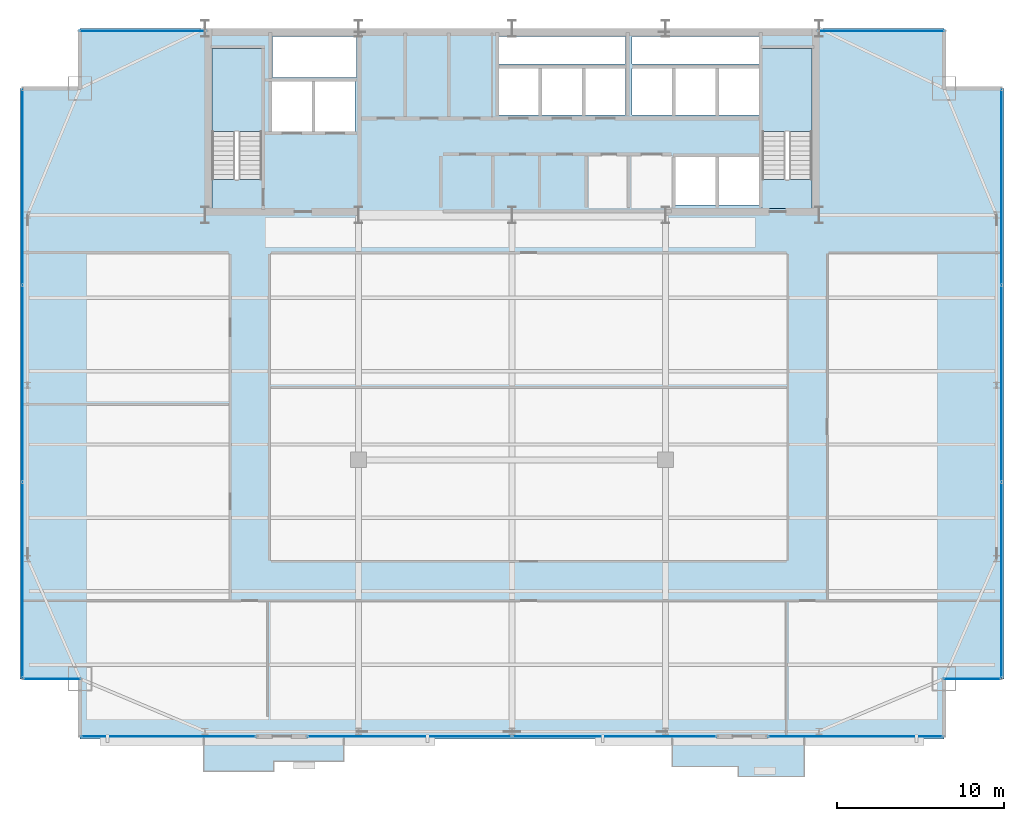
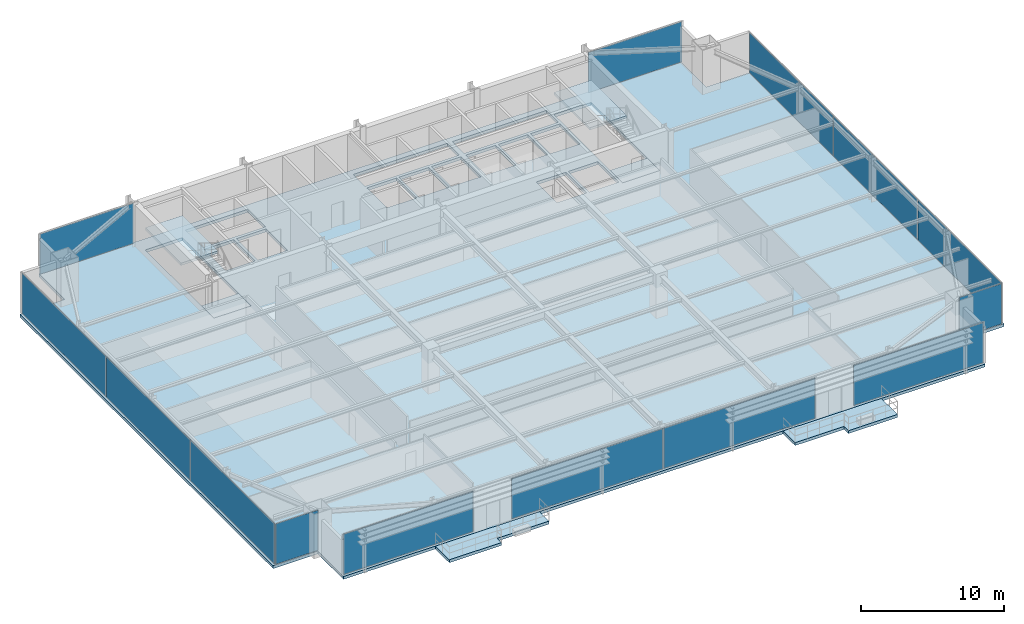
# One storey, part 27 of 36: 14 plates, 7 slabs, 11 elements without a shape of their own.
"""IFC4 building model written with IfcOpenShell, lengths in metres."""

from ifc_helpers import new_model, si_unit, direction, frame, origin, origin_2d, place, context, subcontext, project, spatial, polyline, rectangle, outline, extrude, source, transform, mapped, material, layer, layer_set, type_object, type_shapes, element, aggregate, save


model = new_model("IFC4")

# Units and contexts
model_context = context("Model", 3, precision=1e-05, world=origin(), true_north=direction((0.0, 1.0)))
body_context = subcontext(model_context, "Body", "Model", "MODEL_VIEW")
ifc_project = project(units=[si_unit("LENGTHUNIT", "METRE"), si_unit("AREAUNIT", "SQUARE_METRE"), si_unit("VOLUMEUNIT", "CUBIC_METRE"), si_unit("PLANEANGLEUNIT", "RADIAN"), si_unit("MASSUNIT", "GRAM", prefix="KILO")], contexts=[model_context])

# Site, building, storey
site_placement = place(None, origin())
site = spatial("IfcSite", under=ifc_project, at=site_placement, CompositionType="ELEMENT")
building_placement = place(site_placement, origin())
building = spatial("IfcBuilding", under=site, at=building_placement, Name="Varnel Quay Broadcast Tower", CompositionType="ELEMENT")
storey_placement = place(building_placement, frame((0.0, 0.0, 114.39990234375)))
storey = spatial("IfcBuildingStorey", under=building, at=storey_placement, Name="L27", CompositionType="ELEMENT", Elevation=114.39990234375)

# Slabs
ifc_material_1 = material(Name="Concrete CSA A23.3 C40/50", Category="concrete")
ifc_layer_1 = layer(ifc_material_1, 0.25, Name="Concrete CSA A23.3 C40/50")
ifc_layer_set_1 = layer_set([ifc_layer_1], Name="Concrete CSA A23.3 C40/50")
slab_type_1 = type_object("IfcSlabType", Name="Slab_ExtTerrace250", PredefinedType="FLOOR", material=ifc_layer_set_1)
slab_1_placement = place(storey_placement, frame((0.0, 0.0, -0.25)))
element("IfcSlab", 1, at=slab_1_placement, inside=storey, type_object=slab_type_1, Name="L27 Planted Lobe Terrace Slab 1", PredefinedType="FLOOR", context=body_context, shape_type="SweptSolid", body=[
    extrude(outline(polyline([(15.52001953125, 2.260986328125), (19.719970703125, 2.260986328125), (19.719970703125, 2.861083984375), (23.919921875, 2.861083984375), (23.919921875, 4.199951171875), (15.52001953125, 4.199951171875), (15.52001953125, 2.260986328125)])), origin(), (0.0, 0.0, 1.0), 0.25),
])
slab_2_placement = place(storey_placement, frame((0.0, 0.0, -0.25)))
element("IfcSlab", 2, at=slab_2_placement, inside=storey, type_object=slab_type_1, Name="L27 Planted Lobe Terrace Slab 2", PredefinedType="FLOOR", context=body_context, shape_type="SweptSolid", body=[
    extrude(outline(polyline([(43.60009765625, 2.5390625), (47.56005859375, 2.5390625), (47.56005859375, 1.93896484375), (51.52001953125, 1.93896484375), (51.52001953125, 4.199951171875), (43.60009765625, 4.199951171875), (43.60009765625, 2.5390625)])), origin(), (0.0, 0.0, 1.0), 0.25),
])
ifc_material_2 = material(Name="Concrete CSA A23.3 C50/60", Category="concrete")
ifc_layer_2 = layer(ifc_material_2, 0.25, Name="Concrete CSA A23.3 C50/60")
ifc_layer_set_2 = layer_set([ifc_layer_2], Name="Concrete CSA A23.3 C50/60")
slab_type_2 = type_object("IfcSlabType", Name="Slab_Floor250", PredefinedType="FLOOR", material=ifc_layer_set_2)
slab_3_placement = place(storey_placement, frame((0.0, 0.0, -0.25)))
element("IfcSlab", 3, at=slab_3_placement, inside=storey, type_object=slab_type_2, Name="L27 Structural Slab", PredefinedType="FLOOR", context=body_context, shape_type="SweptSolid", body=[
    extrude(outline(polyline([(8.10009765625, 4.199951171875), (59.89990234375, 4.199951171875), (59.89990234375, 7.800048828125), (63.5, 7.800048828125), (63.5, 43.199951171875), (59.89990234375, 43.199951171875), (59.89990234375, 46.800048828125), (8.10009765625, 46.800048828125), (8.10009765625, 43.199951171875), (4.5, 43.199951171875), (4.5, 7.800048828125), (8.10009765625, 7.800048828125), (8.10009765625, 4.199951171875)]), holes=[polyline([(19.0, 36.0), (16.0, 36.0), (16.0, 45.60009765625), (19.0, 45.60009765625), (19.0, 36.0)]), polyline([(19.60009765625, 43.60009765625), (22.0, 43.60009765625), (22.0, 40.60009765625), (19.60009765625, 40.60009765625), (19.60009765625, 43.60009765625)]), polyline([(22.199951171875, 43.60009765625), (24.60009765625, 43.60009765625), (24.60009765625, 40.60009765625), (22.199951171875, 40.60009765625), (22.199951171875, 43.60009765625)]), polyline([(33.199951171875, 44.39990234375), (35.60009765625, 44.39990234375), (35.60009765625, 41.60009765625), (33.199951171875, 41.60009765625), (33.199951171875, 44.39990234375)]), polyline([(35.800048828125, 44.39990234375), (38.199951171875, 44.39990234375), (38.199951171875, 41.60009765625), (35.800048828125, 41.60009765625), (35.800048828125, 44.39990234375)]), polyline([(38.39990234375, 44.39990234375), (40.800048828125, 44.39990234375), (40.800048828125, 41.60009765625), (38.39990234375, 41.60009765625), (38.39990234375, 44.39990234375)]), polyline([(19.64990234375, 46.300048828125), (24.679931640625, 46.300048828125), (24.679931640625, 43.85009765625), (19.64990234375, 43.85009765625), (19.64990234375, 46.300048828125)]), polyline([(33.199951171875, 46.300048828125), (40.800048828125, 46.300048828125), (40.800048828125, 44.64990234375), (33.199951171875, 44.64990234375), (33.199951171875, 46.300048828125)]), polyline([(43.800048828125, 39.10009765625), (46.199951171875, 39.10009765625), (46.199951171875, 36.199951171875), (43.800048828125, 36.199951171875), (43.800048828125, 39.10009765625)]), polyline([(46.39990234375, 39.10009765625), (48.800048828125, 39.10009765625), (48.800048828125, 36.199951171875), (46.39990234375, 36.199951171875), (46.39990234375, 39.10009765625)]), polyline([(49.0, 36.0), (49.0, 45.60009765625), (52.0, 45.60009765625), (52.0, 36.0), (49.0, 36.0)]), polyline([(41.199951171875, 44.39990234375), (43.60009765625, 44.39990234375), (43.60009765625, 41.60009765625), (41.199951171875, 41.60009765625), (41.199951171875, 44.39990234375)]), polyline([(43.800048828125, 44.39990234375), (46.199951171875, 44.39990234375), (46.199951171875, 41.60009765625), (43.800048828125, 41.60009765625), (43.800048828125, 44.39990234375)]), polyline([(46.39990234375, 44.39990234375), (48.800048828125, 44.39990234375), (48.800048828125, 41.60009765625), (46.39990234375, 41.60009765625), (46.39990234375, 44.39990234375)]), polyline([(41.199951171875, 46.300048828125), (48.800048828125, 46.300048828125), (48.800048828125, 44.64990234375), (41.199951171875, 44.64990234375), (41.199951171875, 46.300048828125)])]), origin(), (0.0, 0.0, 1.0), 0.25),
])
ifc_layer_3 = layer(ifc_material_2, 0.25, Name="Concrete CSA A23.3 C50/60")
ifc_layer_set_3 = layer_set([ifc_layer_3], Name="Concrete CSA A23.3 C50/60")
slab_type_3 = type_object("IfcSlabType", Name="Slab_StairFloorLanding250", PredefinedType="FLOOR", material=ifc_layer_set_3)
slab_4_placement = place(storey_placement, frame((0.0, 0.0, -0.25)))
element("IfcSlab", 4, at=slab_4_placement, inside=storey, type_object=slab_type_3, Name="L27 ST-01 Structural Floor Landing Slab", PredefinedType="FLOOR", context=body_context, shape_type="SweptSolid", body=[
    extrude(outline(polyline([(19.0, 36.0), (19.0, 37.75), (16.0, 37.75), (16.0, 36.0), (19.0, 36.0)])), origin(), (0.0, 0.0, 1.0), 0.25),
])
slab_5_placement = place(storey_placement, frame((0.0, 0.0, -0.25)))
element("IfcSlab", 5, at=slab_5_placement, inside=storey, type_object=slab_type_3, Name="L27 ST-02 Structural Floor Landing Slab", PredefinedType="FLOOR", context=body_context, shape_type="SweptSolid", body=[
    extrude(outline(polyline([(52.0, 36.0), (52.0, 37.75), (49.0, 37.75), (49.0, 36.0), (52.0, 36.0)])), origin(), (0.0, 0.0, 1.0), 0.25),
])

# Stair, slab
ifc_material_3 = material(Name="Precast Structural Concrete C40/50", Category="concrete")
stair_type_1 = type_object("IfcStairType", Name="Stair_ST-01", PredefinedType="HALF_TURN_STAIR", material=ifc_material_3)
stair_1_placement = place(storey_placement, origin())
stair_1 = element("IfcStair", 6, at=stair_1_placement, inside=storey, type_object=stair_type_1, Name="L27 West Core Exit Stair 1", PredefinedType="HALF_TURN_STAIR")
ifc_layer_4 = layer(ifc_material_3, 0.199951171875, Name="Precast Structural Concrete C40/50")
ifc_layer_set_4 = layer_set([ifc_layer_4], Name="Precast Structural Concrete C40/50")
slab_type_4 = type_object("IfcSlabType", Name="Slab_StairLanding200", PredefinedType="LANDING", material=ifc_layer_set_4)
slab_6_placement = place(storey_placement, frame((0.0, 0.0, 1.7001953125)))
slab_6 = element("IfcSlab", 7, at=slab_6_placement, type_object=slab_type_4, Name="ST-01 landing 1", PredefinedType="LANDING", context=body_context, shape_type="SweptSolid", body=[
    extrude(outline(polyline([(19.0, 40.60009765625), (19.0, 45.60009765625), (16.0, 45.60009765625), (16.0, 40.60009765625), (19.0, 40.60009765625)])), origin(), (0.0, 0.0, 1.0), 0.199951171875),
])
aggregate(stair_1, [slab_6])

stair_type_2 = type_object("IfcStairType", Name="Stair_ST-02", PredefinedType="HALF_TURN_STAIR", material=ifc_material_3)
stair_2_placement = place(storey_placement, origin())
stair_2 = element("IfcStair", 8, at=stair_2_placement, inside=storey, type_object=stair_type_2, Name="L27 East Core Exit Stair 2", PredefinedType="HALF_TURN_STAIR")
slab_7_placement = place(storey_placement, frame((0.0, 0.0, 1.7001953125)))
slab_7 = element("IfcSlab", 9, at=slab_7_placement, type_object=slab_type_4, Name="ST-02 landing 1", PredefinedType="LANDING", context=body_context, shape_type="SweptSolid", body=[
    extrude(outline(polyline([(52.0, 40.60009765625), (52.0, 45.60009765625), (49.0, 45.60009765625), (49.0, 40.60009765625), (52.0, 40.60009765625)])), origin(), (0.0, 0.0, 1.0), 0.199951171875),
])
aggregate(stair_2, [slab_7])

# Curtain wall, plates
ifc_material_4 = material(Name="Anodised Bronze Aluminium 6063-T6", Category="aluminium")
ifc_layer_5 = layer(ifc_material_4, 0.18994140625, Name="Anodised Bronze Aluminium 6063-T6")
ifc_layer_set_5 = layer_set([ifc_layer_5], Name="Anodised Bronze Aluminium 6063-T6")
curtain_wall_type_1 = type_object("IfcCurtainWallType", Name="CW_LowerTower", PredefinedType="NOTDEFINED", material=ifc_layer_set_5)
curtain_wall_1_placement = place(storey_placement, origin())
curtain_wall_1 = element("IfcCurtainWall", 10, at=curtain_wall_1_placement, inside=storey, type_object=curtain_wall_type_1, Name="L27 West Unitised Curtain Wall", PredefinedType="NOTDEFINED")
ifc_material_5 = material(Name="Insulated Bronze Spandrel Glass", Category="glass")
ifc_layer_6 = layer(ifc_material_5, 0.031982421875, Name="Insulated Bronze Spandrel Glass")
ifc_layer_set_6 = layer_set([ifc_layer_6], Name="Insulated Bronze Spandrel Glass")
plate_type_1 = type_object("IfcPlateType", Name="PanelSp_CWS-02", PredefinedType="CURTAIN_PANEL", material=ifc_layer_set_6)
shared_shape_1 = source(origin(), body_context, "Body", "SweptSolid", [
    extrude(rectangle(XDim=11.695068359375, YDim=0.031982421875, at=origin_2d()), origin(), (0.0, 0.0, 1.0), 3.429931640625),
])
plate_1_placement = place(storey_placement, frame((4.64990234375, 13.717529296875, 0.06005859375), z_axis=(0.0, 0.0, 1.0), x_axis=(0.0, 1.0, 0.0)))
plate_1 = element("IfcPlate", 11, at=plate_1_placement, type_object=plate_type_1, Name="CWS-02 panel 1.1", PredefinedType="CURTAIN_PANEL", context=body_context, shape_type="MappedRepresentation", body=[
    mapped(shared_shape_1, transform((0.0, 0.0, 0.0), x_axis=(1.0, 0.0, 0.0), y_axis=(0.0, 1.0, 0.0), z_axis=(0.0, 0.0, 1.0), scale=1.0)),
])
plate_2_placement = place(storey_placement, frame((4.64990234375, 37.282470703125, 0.06005859375), z_axis=(0.0, 0.0, 1.0), x_axis=(0.0, 1.0, 0.0)))
plate_2 = element("IfcPlate", 12, at=plate_2_placement, type_object=plate_type_1, Name="CWS-02 panel 3.1", PredefinedType="CURTAIN_PANEL", context=body_context, shape_type="MappedRepresentation", body=[
    mapped(shared_shape_1, transform((0.0, 0.0, 0.0), x_axis=(1.0, 0.0, 0.0), y_axis=(0.0, 1.0, 0.0), z_axis=(0.0, 0.0, 1.0), scale=1.0)),
])

curtain_wall_2_placement = place(storey_placement, origin())
curtain_wall_2 = element("IfcCurtainWall", 13, at=curtain_wall_2_placement, inside=storey, type_object=curtain_wall_type_1, Name="L27 East Unitised Curtain Wall", PredefinedType="NOTDEFINED")
plate_3_placement = place(storey_placement, frame((63.35009765625, 13.717529296875, 0.06005859375), z_axis=(0.0, 0.0, 1.0), x_axis=(0.0, 1.0, 0.0)))
plate_3 = element("IfcPlate", 14, at=plate_3_placement, type_object=plate_type_1, Name="CWS-02 panel 1.1", PredefinedType="CURTAIN_PANEL", context=body_context, shape_type="MappedRepresentation", body=[
    mapped(shared_shape_1, transform((0.0, 0.0, 0.0), x_axis=(1.0, 0.0, 0.0), y_axis=(0.0, 1.0, 0.0), z_axis=(0.0, 0.0, 1.0), scale=1.0)),
])
plate_4_placement = place(storey_placement, frame((63.35009765625, 37.282470703125, 0.06005859375), z_axis=(0.0, 0.0, 1.0), x_axis=(0.0, 1.0, 0.0)))
plate_4 = element("IfcPlate", 15, at=plate_4_placement, type_object=plate_type_1, Name="CWS-02 panel 3.1", PredefinedType="CURTAIN_PANEL", context=body_context, shape_type="MappedRepresentation", body=[
    mapped(shared_shape_1, transform((0.0, 0.0, 0.0), x_axis=(1.0, 0.0, 0.0), y_axis=(0.0, 1.0, 0.0), z_axis=(0.0, 0.0, 1.0), scale=1.0)),
])

# Plate
shared_shape_2 = source(origin(), body_context, "Body", "SweptSolid", [
    extrude(rectangle(XDim=11.72998046875, YDim=0.031982421875, at=origin_2d()), origin(), (0.0, 0.0, 1.0), 3.429931640625),
])
plate_5_placement = place(storey_placement, frame((4.64990234375, 25.5, 0.06005859375), z_axis=(0.0, 0.0, 1.0), x_axis=(0.0, 1.0, 0.0)))
plate_5 = element("IfcPlate", 16, at=plate_5_placement, type_object=plate_type_1, Name="CWS-02 panel 2.1", PredefinedType="CURTAIN_PANEL", context=body_context, shape_type="MappedRepresentation", body=[
    mapped(shared_shape_2, transform((0.0, 0.0, 0.0), x_axis=(1.0, 0.0, 0.0), y_axis=(0.0, 1.0, 0.0), z_axis=(0.0, 0.0, 1.0), scale=1.0)),
])

aggregate(curtain_wall_1, [plate_1, plate_5, plate_2])

plate_6_placement = place(storey_placement, frame((63.35009765625, 25.5, 0.06005859375), z_axis=(0.0, 0.0, 1.0), x_axis=(0.0, 1.0, 0.0)))
plate_6 = element("IfcPlate", 17, at=plate_6_placement, type_object=plate_type_1, Name="CWS-02 panel 2.1", PredefinedType="CURTAIN_PANEL", context=body_context, shape_type="MappedRepresentation", body=[
    mapped(shared_shape_2, transform((0.0, 0.0, 0.0), x_axis=(1.0, 0.0, 0.0), y_axis=(0.0, 1.0, 0.0), z_axis=(0.0, 0.0, 1.0), scale=1.0)),
])

aggregate(curtain_wall_2, [plate_3, plate_6, plate_4])

# Curtain wall, plate
ifc_layer_7 = layer(ifc_material_4, 0.18994140625, Name="Anodised Bronze Aluminium 6063-T6")
ifc_layer_set_7 = layer_set([ifc_layer_7], Name="Anodised Bronze Aluminium 6063-T6")
curtain_wall_type_2 = type_object("IfcCurtainWallType", Name="CW_NotchCorner", PredefinedType="NOTDEFINED", material=ifc_layer_set_7)
curtain_wall_3_placement = place(storey_placement, origin())
curtain_wall_3 = element("IfcCurtainWall", 18, at=curtain_wall_3_placement, inside=storey, type_object=curtain_wall_type_2, Name="L27 SW Notch Curtain Wall", PredefinedType="NOTDEFINED")
ifc_material_6 = material(Name="Triple-Glazed Bronze Low-E Architectural Glass", Category="glass")
ifc_layer_8 = layer(ifc_material_6, 0.028076171875, Name="Triple-Glazed Bronze Low-E Architectural Glass")
ifc_layer_set_8 = layer_set([ifc_layer_8], Name="Triple-Glazed Bronze Low-E Architectural Glass")
plate_type_2 = type_object("IfcPlateType", Name="Panel_CWS-04", PredefinedType="CURTAIN_PANEL", material=ifc_layer_set_8)
shared_shape_3 = source(origin(), body_context, "Body", "SweptSolid", [
    extrude(rectangle(XDim=3.409912109375, YDim=0.028076171875, at=origin_2d()), origin(), (0.0, 0.0, 1.0), 3.43994140625),
])
type_shapes(plate_type_2, [shared_shape_3])
plate_7_placement = place(storey_placement, frame((6.4150390625, 7.800048828125, 0.05517578125), z_axis=(0.0, 0.0, 1.0), x_axis=(1.0, 0.0, 0.0)))
plate_7 = element("IfcPlate", 19, at=plate_7_placement, type_object=plate_type_2, Name="CWS-04 panel 1.1", PredefinedType="CURTAIN_PANEL", context=body_context, shape_type="MappedRepresentation", body=[
    mapped(shared_shape_3, transform((0.0, 0.0, 0.0), x_axis=(1.0, 0.0, 0.0), y_axis=(0.0, 1.0, 0.0), z_axis=(0.0, 0.0, 1.0), scale=1.0)),
])
aggregate(curtain_wall_3, [plate_7])

curtain_wall_4_placement = place(storey_placement, origin())
curtain_wall_4 = element("IfcCurtainWall", 20, at=curtain_wall_4_placement, inside=storey, type_object=curtain_wall_type_2, Name="L27 SE Notch Curtain Wall", PredefinedType="NOTDEFINED")
plate_8_placement = place(storey_placement, frame((61.5849609375, 7.800048828125, 0.05517578125), z_axis=(0.0, 0.0, 1.0), x_axis=(1.0, 0.0, 0.0)))
plate_8 = element("IfcPlate", 21, at=plate_8_placement, type_object=plate_type_2, Name="CWS-04 panel 1.1", PredefinedType="CURTAIN_PANEL", context=body_context, shape_type="MappedRepresentation", body=[
    mapped(shared_shape_3, transform((0.0, 0.0, 0.0), x_axis=(1.0, 0.0, 0.0), y_axis=(0.0, 1.0, 0.0), z_axis=(0.0, 0.0, 1.0), scale=1.0)),
])
aggregate(curtain_wall_4, [plate_8])

curtain_wall_5_placement = place(storey_placement, origin())
curtain_wall_5 = element("IfcCurtainWall", 22, at=curtain_wall_5_placement, inside=storey, type_object=curtain_wall_type_1, Name="L27 NW Wing Curtain Wall", PredefinedType="NOTDEFINED")
ifc_layer_9 = layer(ifc_material_6, 0.031982421875, Name="Triple-Glazed Bronze Low-E Architectural Glass")
ifc_layer_set_9 = layer_set([ifc_layer_9], Name="Triple-Glazed Bronze Low-E Architectural Glass")
plate_type_3 = type_object("IfcPlateType", Name="Panel_CWS-02", PredefinedType="CURTAIN_PANEL", material=ifc_layer_set_9)
shared_shape_4 = source(origin(), body_context, "Body", "SweptSolid", [
    extrude(rectangle(XDim=7.5400390625, YDim=0.031982421875, at=origin_2d()), origin(), (0.0, 0.0, 1.0), 3.429931640625),
])
plate_9_placement = place(storey_placement, frame((11.860107421875, 46.64990234375, 0.06005859375), z_axis=(0.0, 0.0, 1.0), x_axis=(1.0, 0.0, 0.0)))
plate_9 = element("IfcPlate", 23, at=plate_9_placement, type_object=plate_type_3, Name="CWS-02 panel 1.1", PredefinedType="CURTAIN_PANEL", context=body_context, shape_type="MappedRepresentation", body=[
    mapped(shared_shape_4, transform((0.0, 0.0, 0.0), x_axis=(1.0, 0.0, 0.0), y_axis=(0.0, 1.0, 0.0), z_axis=(0.0, 0.0, 1.0), scale=1.0)),
])
aggregate(curtain_wall_5, [plate_9])

curtain_wall_6_placement = place(storey_placement, origin())
curtain_wall_6 = element("IfcCurtainWall", 24, at=curtain_wall_6_placement, inside=storey, type_object=curtain_wall_type_1, Name="L27 NE Wing Curtain Wall", PredefinedType="NOTDEFINED")
plate_10_placement = place(storey_placement, frame((56.139892578125, 46.64990234375, 0.06005859375), z_axis=(0.0, 0.0, 1.0), x_axis=(1.0, 0.0, 0.0)))
plate_10 = element("IfcPlate", 25, at=plate_10_placement, type_object=plate_type_3, Name="CWS-02 panel 1.1", PredefinedType="CURTAIN_PANEL", context=body_context, shape_type="MappedRepresentation", body=[
    mapped(shared_shape_4, transform((0.0, 0.0, 0.0), x_axis=(1.0, 0.0, 0.0), y_axis=(0.0, 1.0, 0.0), z_axis=(0.0, 0.0, 1.0), scale=1.0)),
])
aggregate(curtain_wall_6, [plate_10])

curtain_wall_7_placement = place(storey_placement, origin())
curtain_wall_7 = element("IfcCurtainWall", 26, at=curtain_wall_7_placement, inside=storey, type_object=curtain_wall_type_1, Name="L27 South Unitised Curtain Wall 1", PredefinedType="NOTDEFINED")
shared_shape_5 = source(origin(), body_context, "Body", "SweptSolid", [
    extrude(rectangle(XDim=10.47998046875, YDim=0.031982421875, at=origin_2d()), origin(), (0.0, 0.0, 1.0), 3.429931640625),
])
type_shapes(plate_type_3, [shared_shape_4, shared_shape_5])
plate_11_placement = place(storey_placement, frame((13.409912109375, 4.35009765625, 0.06005859375), z_axis=(0.0, 0.0, 1.0), x_axis=(1.0, 0.0, 0.0)))
plate_11 = element("IfcPlate", 27, at=plate_11_placement, type_object=plate_type_3, Name="CWS-02 panel 1.1", PredefinedType="CURTAIN_PANEL", context=body_context, shape_type="MappedRepresentation", body=[
    mapped(shared_shape_5, transform((0.0, 0.0, 0.0), x_axis=(1.0, 0.0, 0.0), y_axis=(0.0, 1.0, 0.0), z_axis=(0.0, 0.0, 1.0), scale=1.0)),
])
aggregate(curtain_wall_7, [plate_11])

curtain_wall_8_placement = place(storey_placement, origin())
curtain_wall_8 = element("IfcCurtainWall", 28, at=curtain_wall_8_placement, inside=storey, type_object=curtain_wall_type_1, Name="L27 South Unitised Curtain Wall 3", PredefinedType="NOTDEFINED")
plate_12_placement = place(storey_placement, frame((54.590087890625, 4.35009765625, 0.06005859375), z_axis=(0.0, 0.0, 1.0), x_axis=(1.0, 0.0, 0.0)))
plate_12 = element("IfcPlate", 29, at=plate_12_placement, type_object=plate_type_3, Name="CWS-02 panel 1.1", PredefinedType="CURTAIN_PANEL", context=body_context, shape_type="MappedRepresentation", body=[
    mapped(shared_shape_5, transform((0.0, 0.0, 0.0), x_axis=(1.0, 0.0, 0.0), y_axis=(0.0, 1.0, 0.0), z_axis=(0.0, 0.0, 1.0), scale=1.0)),
])
aggregate(curtain_wall_8, [plate_12])

# Curtain wall, plates
curtain_wall_9_placement = place(storey_placement, origin())
curtain_wall_9 = element("IfcCurtainWall", 30, at=curtain_wall_9_placement, inside=storey, type_object=curtain_wall_type_1, Name="L27 South Unitised Curtain Wall 2", PredefinedType="NOTDEFINED")
shared_shape_6 = source(origin(), body_context, "Body", "SweptSolid", [
    extrude(rectangle(XDim=12.215087890625, YDim=0.031982421875, at=origin_2d()), origin(), (0.0, 0.0, 1.0), 3.429931640625),
])
type_shapes(plate_type_1, [shared_shape_1, shared_shape_2, shared_shape_6])
plate_13_placement = place(storey_placement, frame((27.857421875, 4.35009765625, 0.06005859375), z_axis=(0.0, 0.0, 1.0), x_axis=(1.0, 0.0, 0.0)))
plate_13 = element("IfcPlate", 31, at=plate_13_placement, type_object=plate_type_1, Name="CWS-02 panel 1.1", PredefinedType="CURTAIN_PANEL", context=body_context, shape_type="MappedRepresentation", body=[
    mapped(shared_shape_6, transform((0.0, 0.0, 0.0), x_axis=(1.0, 0.0, 0.0), y_axis=(0.0, 1.0, 0.0), z_axis=(0.0, 0.0, 1.0), scale=1.0)),
])
plate_14_placement = place(storey_placement, frame((40.142578125, 4.35009765625, 0.06005859375), z_axis=(0.0, 0.0, 1.0), x_axis=(1.0, 0.0, 0.0)))
plate_14 = element("IfcPlate", 32, at=plate_14_placement, type_object=plate_type_1, Name="CWS-02 panel 2.1", PredefinedType="CURTAIN_PANEL", context=body_context, shape_type="MappedRepresentation", body=[
    mapped(shared_shape_6, transform((0.0, 0.0, 0.0), x_axis=(1.0, 0.0, 0.0), y_axis=(0.0, 1.0, 0.0), z_axis=(0.0, 0.0, 1.0), scale=1.0)),
])
aggregate(curtain_wall_9, [plate_13, plate_14])

save(model, "model.ifc")
